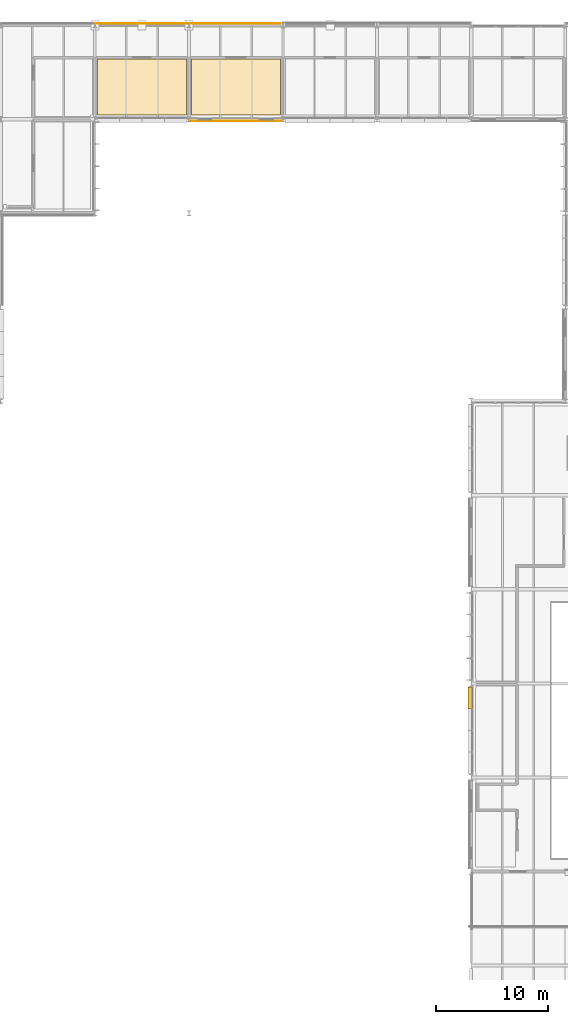
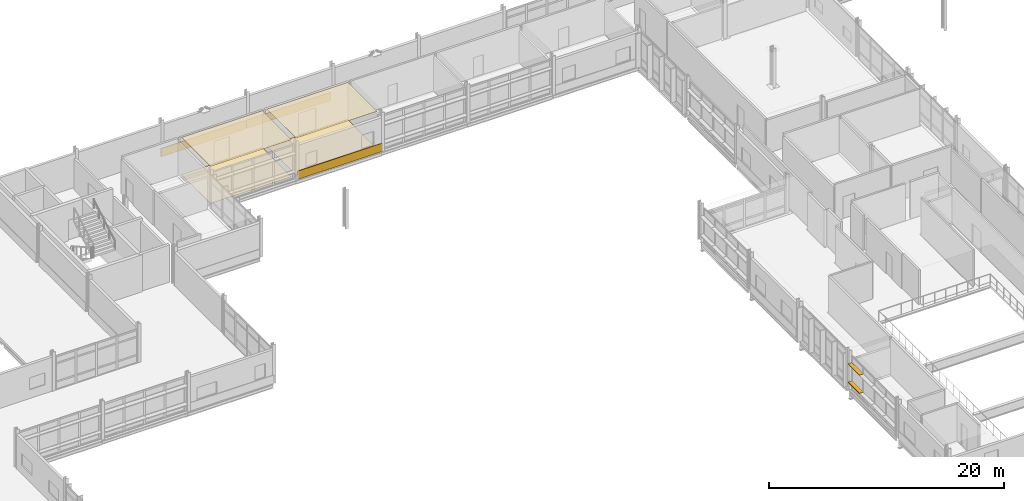
# One storey, part 123 of 131: 7 coverings, 2 shading devices.
"""IFC4 building model written with IfcOpenShell, lengths in metres."""

from ifc_helpers import new_model, si_unit, direction, frame, origin, origin_2d, place, context, subcontext, project, spatial, polyline, rectangle, outline, extrude, material, layer, layer_set, type_object, element, save


model = new_model("IFC4")

# Units and contexts
model_context = context("Model", 3, precision=1e-05, world=origin(), true_north=direction((0.0, 1.0)))
body_context = subcontext(model_context, "Body", "Model", "MODEL_VIEW")
ifc_project = project(units=[si_unit("LENGTHUNIT", "METRE"), si_unit("AREAUNIT", "SQUARE_METRE"), si_unit("VOLUMEUNIT", "CUBIC_METRE"), si_unit("PLANEANGLEUNIT", "RADIAN"), si_unit("MASSUNIT", "GRAM", prefix="KILO")], contexts=[model_context])

# Site, building, storey
site_placement = place(None, origin())
site = spatial("IfcSite", under=ifc_project, at=site_placement, CompositionType="ELEMENT")
building_placement = place(site_placement, origin())
building = spatial("IfcBuilding", under=site, at=building_placement, Name="Mersafa Astral City Hall", CompositionType="ELEMENT")
storey_placement = place(building_placement, frame((0.0, 0.0, 13.949951171875)))
storey = spatial("IfcBuildingStorey", under=building, at=storey_placement, Name="L03", CompositionType="ELEMENT", Elevation=13.949951171875)

# Coverings
ifc_material_1 = material(Name="Cairo Mokattam buff limestone cladding", Category="masonry")
ifc_layer_1 = layer(ifc_material_1, 0.06005859375, Name="Cairo Mokattam buff limestone cladding")
ifc_layer_set_1 = layer_set([ifc_layer_1], Name="Cairo Mokattam buff limestone cladding — ENV-COV-LIMESTONE-60")
covering_type_1 = type_object("IfcCoveringType", Name="ENV-COV-LIMESTONE-60", PredefinedType="CLADDING", material=ifc_layer_set_1)
for number, where, z_axis, x_axis, name in (
    (1, (71.39990234375, 126.162109375, 0.0), (0.0, 0.0, 1.0), (-1.0, 0.0, 0.0), "L03 Cairo buff limestone rainscreen cladding 246"),
    (2, (63.0, 126.154541015625, 0.0), (0.0, 0.0, 1.0), (-1.0, 0.0, 0.0), "L03 Cairo buff limestone rainscreen cladding 247"),
    (3, (71.39990234375, 117.430419921875, 0.0), (0.0, 0.0, 1.0), (1.0, 0.0, 0.0), "L03 Cairo buff limestone rainscreen cladding 263"),
):
    element("IfcCovering", number, at=place(storey_placement, frame(where, z_axis=z_axis, x_axis=x_axis)), inside=storey, type_object=covering_type_1, Name=name, PredefinedType="CLADDING", context=body_context, shape_type="SweptSolid", body=[
        extrude(rectangle(XDim=8.323974609375, YDim=0.06005859375, at=origin_2d()), origin(), (0.0, 0.0, 1.0), 0.860107421875),
    ])

# Shading devices
ifc_material_2 = material(Name="Kiln-dried cedar timber brise-soleil blade", Category="wood")
shading_device_type = type_object("IfcShadingDeviceType", Name="ENV-SHD-LOUVRE-380", PredefinedType="JALOUSIE", material=ifc_material_2)
for number, where, z_axis, x_axis, name in (
    (4, (92.320068359375, 65.919677734375, 0.81494140625), (0.0, 0.0, 1.0), (0.0, -1.0, 0.0), "L03 Horizontal cedar brise-soleil louvre 1186"),
    (5, (92.320068359375, 65.919677734375, 2.71484375), (0.0, 0.0, 1.0), (0.0, -1.0, 0.0), "L03 Horizontal cedar brise-soleil louvre 1190"),
):
    element("IfcShadingDevice", number, at=place(storey_placement, frame(where, z_axis=z_axis, x_axis=x_axis)), inside=storey, type_object=shading_device_type, Name=name, PredefinedType="JALOUSIE", context=body_context, shape_type="SweptSolid", body=[
        extrude(rectangle(XDim=1.966552734375, YDim=0.3798828125, at=origin_2d()), origin(), (0.0, 0.0, 1.0), 0.070068359375),
    ])

# Coverings
ifc_material_3 = material(Name="Perforated acoustic gypsum board ceiling", Category="gypsum")
ifc_layer_2 = layer(ifc_material_3, 0.02490234375, Name="Perforated acoustic gypsum board ceiling")
ifc_layer_set_2 = layer_set([ifc_layer_2], Name="Perforated acoustic gypsum board ceiling — INT-COV-CEIL-25")
covering_type_2 = type_object("IfcCoveringType", Name="INT-COV-CEIL-25", PredefinedType="CEILING", material=ifc_layer_set_2)
covering_1_placement = place(storey_placement, frame((0.0, 0.0, 3.845947265625)))
element("IfcCovering", 6, at=covering_1_placement, inside=storey, type_object=covering_type_2, Name="L03 Legal Counsel & Legislation Office L03-15 acoustic ceiling", PredefinedType="CEILING", context=body_context, shape_type="SweptSolid", body=[
    extrude(outline(polyline([(66.969970703125, 122.9599609375), (66.969970703125, 118.0), (59.030029296875, 118.0), (59.030029296875, 122.9599609375), (66.969970703125, 122.9599609375)])), origin(), (0.0, 0.0, 1.0), 0.025146484375),
])
covering_2_placement = place(storey_placement, frame((0.0, 0.0, 3.845947265625)))
element("IfcCovering", 7, at=covering_2_placement, inside=storey, type_object=covering_type_2, Name="L03 Public Procurement Review Room L03-16 acoustic ceiling", PredefinedType="CEILING", context=body_context, shape_type="SweptSolid", body=[
    extrude(outline(polyline([(75.3701171875, 122.9599609375), (75.3701171875, 118.0), (67.429931640625, 118.0), (67.429931640625, 122.9599609375), (75.3701171875, 122.9599609375)])), origin(), (0.0, 0.0, 1.0), 0.025146484375),
])
ifc_material_4 = material(Name="Heavy-duty woven acoustic carpet tile", Category="finish")
ifc_layer_3 = layer(ifc_material_4, 0.014892578125, Name="Heavy-duty woven acoustic carpet tile")
ifc_layer_set_3 = layer_set([ifc_layer_3], Name="Heavy-duty woven acoustic carpet tile — INT-COV-FLR-15")
covering_type_3 = type_object("IfcCoveringType", Name="INT-COV-FLR-15", PredefinedType="FLOORING", material=ifc_layer_set_3)
covering_3_placement = place(storey_placement, frame((0.0, 0.0, -0.00146484375)))
element("IfcCovering", 8, at=covering_3_placement, inside=storey, type_object=covering_type_3, Name="L03 Legal Counsel & Legislation Office L03-15 architectural flooring", PredefinedType="FLOORING", context=body_context, shape_type="SweptSolid", body=[
    extrude(outline(polyline([(66.969970703125, 122.9599609375), (66.969970703125, 118.0), (59.030029296875, 118.0), (59.030029296875, 122.9599609375), (66.969970703125, 122.9599609375)])), origin(), (0.0, 0.0, 1.0), 0.014892578125),
])
covering_4_placement = place(storey_placement, frame((0.0, 0.0, -0.00146484375)))
element("IfcCovering", 9, at=covering_4_placement, inside=storey, type_object=covering_type_3, Name="L03 Public Procurement Review Room L03-16 architectural flooring", PredefinedType="FLOORING", context=body_context, shape_type="SweptSolid", body=[
    extrude(outline(polyline([(75.3701171875, 122.9599609375), (75.3701171875, 118.0), (67.429931640625, 118.0), (67.429931640625, 122.9599609375), (75.3701171875, 122.9599609375)])), origin(), (0.0, 0.0, 1.0), 0.014892578125),
])

save(model, "model.ifc")
